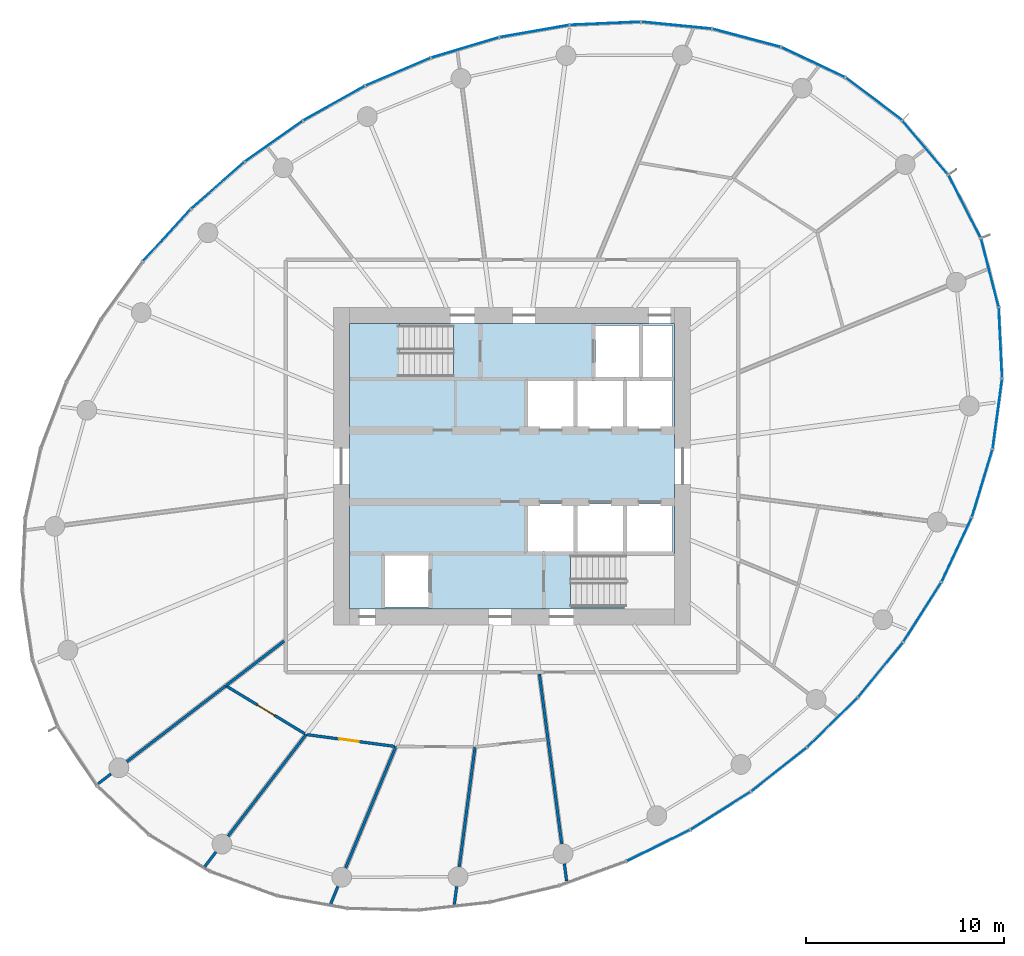
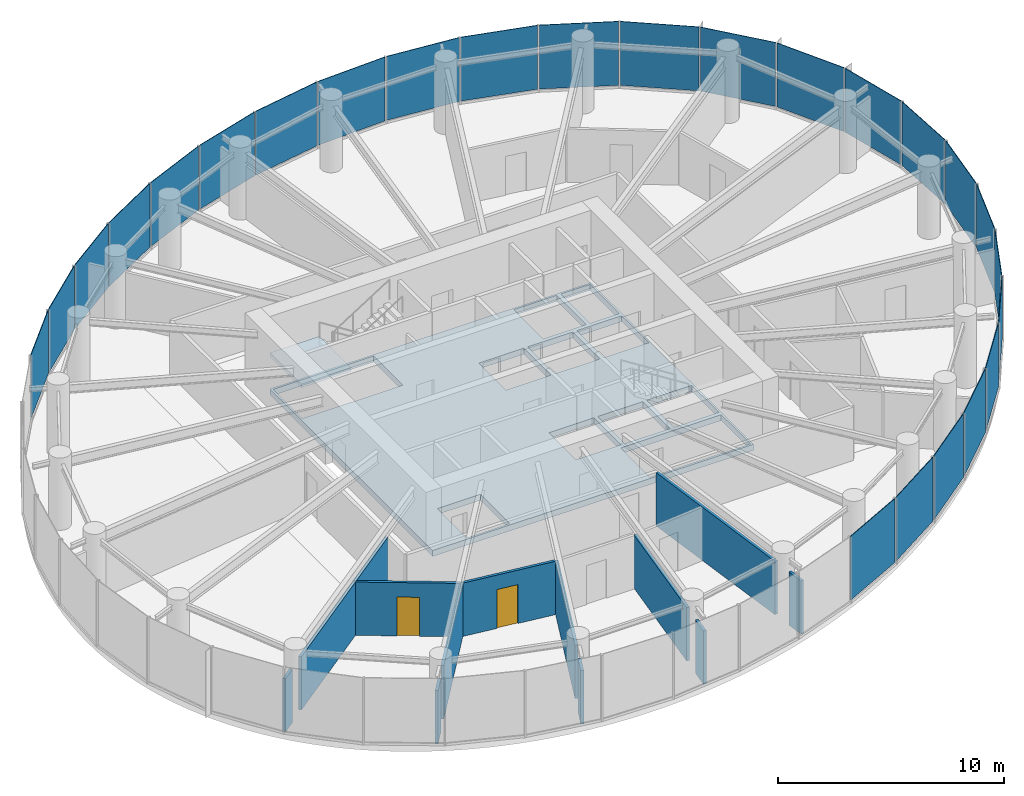
# One storey, part 8 of 14: 25 plates, 13 walls, 2 doors, 2 slabs, 2 openings, 7 elements without a shape of their own.
"""IFC4 building model written with IfcOpenShell, lengths in metres."""

import ifcopenshell
import ifcopenshell.guid

model = None  # the IFC model being written
_history = None  # IfcOwnerHistory: only IFC2X3 demands one
_inside = {}  # id of a spatial element -> (the spatial element, [elements in it])
_under = {}  # id of a project, library or spatial element -> (it, [spatial elements below it])
_declared = {}  # id of a project -> (the project, [libraries it declares])
_typed = {}  # id of a type object -> (the type object, [elements of that type])
_made_of = {}  # id of a material, layer set ... -> (it, [elements and type objects made of it])


def new_model(schema):
    """Start an empty IFC model of exactly this schema.

    Asked for "IFC4X3", IfcOpenShell would pick the latest addendum, in which some entities
    have other attributes; the version numbers below select the first issue.
    IFC2X3 requires an IfcOwnerHistory on every rooted entity: one is made here for all.
    """
    global model, _history
    if schema == "IFC4X3":
        model = ifcopenshell.file(schema_version=(4, 3, 0, 0))
    else:
        model = ifcopenshell.file(schema=schema)
    _inside.clear()
    _under.clear()
    _declared.clear()
    _typed.clear()
    _made_of.clear()
    _history = None
    if model.schema == "IFC2X3":
        org = make("IfcOrganization", Name="unknown")
        user = make(
            "IfcPersonAndOrganization",
            ThePerson=make("IfcPerson", FamilyName="unknown"),
            TheOrganization=org,
        )
        app = make(
            "IfcApplication",
            ApplicationDeveloper=org,
            Version="unknown",
            ApplicationFullName="unknown",
            ApplicationIdentifier="unknown",
        )
        _history = make(
            "IfcOwnerHistory",
            OwningUser=user,
            OwningApplication=app,
            ChangeAction="ADDED",
            CreationDate=0,
        )
    return model


def make(cls, **values):
    """One entity of the class cls with the attributes given. An attribute that is None is left unset."""
    return model.create_entity(
        cls, **{name: value for name, value in values.items() if value is not None}
    )


def rooted(cls, **values):
    """An entity with a GlobalId (a new one), such as an element, a storey or a relation."""
    return make(cls, GlobalId=ifcopenshell.guid.new(), OwnerHistory=_history, **values)


def si_unit(unit_type, name, prefix=None):
    """IfcSIUnit, for example si_unit("LENGTHUNIT", "METRE", prefix="MILLI")."""
    return make("IfcSIUnit", UnitType=unit_type, Prefix=prefix, Name=name)


def assignment(units):
    """IfcUnitAssignment: the units of a project."""
    return None if units is None else make("IfcUnitAssignment", Units=units)


def point(xyz):
    """IfcCartesianPoint."""
    return None if xyz is None else make("IfcCartesianPoint", Coordinates=xyz)


def direction(xyz):
    """IfcDirection."""
    return None if xyz is None else make("IfcDirection", DirectionRatios=xyz)


def frame(location, z_axis=None, x_axis=None):
    """IfcAxis2Placement3D, a coordinate frame: its origin and axes. An axis left out is left unset."""
    return make(
        "IfcAxis2Placement3D",
        Location=point(location),
        Axis=direction(z_axis),
        RefDirection=direction(x_axis),
    )


def frame_2d(location, x_axis=None):
    """IfcAxis2Placement2D, a coordinate frame in the plane: its origin and x axis."""
    return make(
        "IfcAxis2Placement2D", Location=point(location), RefDirection=direction(x_axis)
    )


def origin():
    """The frame at (0, 0, 0) with its axes left unset."""
    return frame((0.0, 0.0, 0.0))


def origin_2d():
    """The frame at (0, 0) in the plane with its x axis left unset."""
    return frame_2d((0.0, 0.0))


def place(relative_to, where):
    """IfcLocalPlacement: puts the frame where relative to a parent placement (None: the world)."""
    return make(
        "IfcLocalPlacement", PlacementRelTo=relative_to, RelativePlacement=where
    )


def context(
    kind, dimensions, precision=None, world=None, true_north=None, identifier=None
):
    """IfcGeometricRepresentationContext, for example the 3D "Model" context."""
    return make(
        "IfcGeometricRepresentationContext",
        ContextIdentifier=identifier,
        ContextType=kind,
        CoordinateSpaceDimension=dimensions,
        Precision=precision,
        WorldCoordinateSystem=world,
        TrueNorth=true_north,
    )


def subcontext(parent, identifier, kind, view, scale=None):
    """IfcGeometricRepresentationSubContext, for example "Body" below "Model"."""
    return make(
        "IfcGeometricRepresentationSubContext",
        ContextIdentifier=identifier,
        ContextType=kind,
        ParentContext=parent,
        TargetScale=scale,
        TargetView=view,
    )


def project(units=None, contexts=None):
    """IfcProject with its units and contexts."""
    return rooted(
        "IfcProject",
        Name="project",
        RepresentationContexts=contexts,
        UnitsInContext=assignment(units),
    )


def spatial(cls, under=None, at=None, **own):
    """A site, building, storey or space (cls), placed at a placement, below another one or the project."""
    s = rooted(cls, ObjectPlacement=at, **own)
    if under is not None:
        _under.setdefault(under.id(), (under, []))[1].append(s)
    return s


def point_list(points):
    """IfcCartesianPointList2D or 3D."""
    cls = (
        "IfcCartesianPointList2D" if len(points[0]) == 2 else "IfcCartesianPointList3D"
    )
    return make(cls, CoordList=points)


def line(*indices):
    """IfcLineIndex: a straight run through numbered points of an indexed curve."""
    return model.create_entity("IfcLineIndex", indices)


def indexed_curve(points, segments=None, self_intersect=None):
    """IfcIndexedPolyCurve: lines and arcs through numbered points (the first is 1)."""
    return make(
        "IfcIndexedPolyCurve",
        Points=point_list(points),
        Segments=segments,
        SelfIntersect=self_intersect,
    )


def profile(cls, at=None, kind="AREA", **sizes):
    """A parametric profile (cls). Its sizes go by their IFC names, for example OverallWidth=200.0."""
    return make(cls, ProfileType=kind, Position=at, **sizes)


def rectangle(**sizes):
    """IfcRectangleProfileDef."""
    return profile("IfcRectangleProfileDef", **sizes)


def outline(outer, holes=None, kind="AREA"):
    """IfcArbitraryClosedProfileDef: a profile drawn as a closed curve; with holes, ...WithVoids."""
    if holes is None:
        return make("IfcArbitraryClosedProfileDef", ProfileType=kind, OuterCurve=outer)
    return make(
        "IfcArbitraryProfileDefWithVoids",
        ProfileType=kind,
        OuterCurve=outer,
        InnerCurves=holes,
    )


def extrude(swept, where, along, depth):
    """IfcExtrudedAreaSolid: the profile swept, set in the frame where, extruded along a direction by depth."""
    return make(
        "IfcExtrudedAreaSolid",
        SweptArea=swept,
        Position=where,
        ExtrudedDirection=direction(along),
        Depth=depth,
    )


def shape(context_of_items, identifier, shape_type, items):
    """IfcShapeRepresentation: the items that make up one representation, for example the "Body"."""
    return make(
        "IfcShapeRepresentation",
        ContextOfItems=context_of_items,
        RepresentationIdentifier=identifier,
        RepresentationType=shape_type,
        Items=items,
    )


def source(mapping_origin, context_of_items, identifier, shape_type, items):
    """IfcRepresentationMap: a shape defined once, which mapped items show again and again."""
    return make(
        "IfcRepresentationMap",
        MappingOrigin=mapping_origin,
        MappedRepresentation=shape(context_of_items, identifier, shape_type, items),
    )


def transform(
    local_origin,
    x_axis=None,
    y_axis=None,
    z_axis=None,
    scale=None,
    scale2=None,
    scale3=None,
    uniform=True,
):
    """IfcCartesianTransformationOperator3D, or its non-uniform kind. x_axis, y_axis, z_axis: its Axis1, 2, 3."""
    if uniform:
        return make(
            "IfcCartesianTransformationOperator3D",
            Axis1=direction(x_axis),
            Axis2=direction(y_axis),
            LocalOrigin=point(local_origin),
            Scale=scale,
            Axis3=direction(z_axis),
        )
    return make(
        "IfcCartesianTransformationOperator3DnonUniform",
        Axis1=direction(x_axis),
        Axis2=direction(y_axis),
        LocalOrigin=point(local_origin),
        Scale=scale,
        Axis3=direction(z_axis),
        Scale2=scale2,
        Scale3=scale3,
    )


def mapped(mapping_source, mapping_target):
    """IfcMappedItem: shows the shape of a source again, moved by a transform."""
    return make(
        "IfcMappedItem", MappingSource=mapping_source, MappingTarget=mapping_target
    )


def material(Name=None, Category=None):
    """IfcMaterial."""
    return make("IfcMaterial", Name=Name, Category=Category)


def layer(
    of_material, thickness, ventilated=None, Name=None, Category=None, Priority=None
):
    """IfcMaterialLayer: one layer of a wall or slab, of a material (None: an air gap)."""
    return make(
        "IfcMaterialLayer",
        Material=of_material,
        LayerThickness=thickness,
        IsVentilated=ventilated,
        Name=Name,
        Category=Category,
        Priority=Priority,
    )


def layer_set(layers, Name=None):
    """IfcMaterialLayerSet."""
    return make("IfcMaterialLayerSet", MaterialLayers=layers, LayerSetName=Name)


def made_of(thing, what):
    """Note that an element or type object is made of a material, layer set ...; save() writes the relation."""
    if what is not None:
        _made_of.setdefault(what.id(), (what, []))[1].append(thing)
    return thing


def type_object(cls, material=None, **own):
    """A type object (cls), such as IfcWallType, which elements share."""
    return made_of(rooted(cls, **own), material)


def element(
    cls,
    number,
    at=None,
    inside=None,
    cuts=None,
    type_object=None,
    material=None,
    context=None,
    identifier="Body",
    shape_type=None,
    held_by="IfcProductDefinitionShape",
    body=None,
    shapes=None,
    **own,
):
    """One element of the class cls, such as IfcWall. Its Tag is "e" and its number.

    at: its placement. inside: the storey or other place that contains it. cuts: it is an
    opening in that element (IfcRelVoidsElement). A single representation is given by context,
    identifier, shape_type and body (its items); several are given by shapes. held_by: the class
    of the entity that holds the representations. save() writes the other relations.
    """
    e = rooted(cls, Tag="e%d" % number, ObjectPlacement=at, **own)
    if body is not None:
        shapes = [shape(context, identifier, shape_type, body)]
    if shapes is not None:
        e.Representation = make(held_by, Representations=shapes)
    if inside is not None:
        _inside.setdefault(inside.id(), (inside, []))[1].append(e)
    if cuts is not None:
        rooted(
            "IfcRelVoidsElement", RelatingBuildingElement=cuts, RelatedOpeningElement=e
        )
    if type_object is not None:
        _typed.setdefault(type_object.id(), (type_object, []))[1].append(e)
    return made_of(e, material)


def fill(opening, filler):
    """IfcRelFillsElement: the door or window that sits in an opening."""
    return rooted(
        "IfcRelFillsElement",
        RelatingOpeningElement=opening,
        RelatedBuildingElement=filler,
    )


def aggregate(whole, parts):
    """IfcRelAggregates: a whole, such as a stair, and the parts it consists of."""
    return rooted("IfcRelAggregates", RelatingObject=whole, RelatedObjects=parts)


def save(model, path):
    """Write the relations noted so far, then the file.

    IfcRelAggregates (storeys below a building ...), IfcRelContainedInSpatialStructure (elements
    in a storey), IfcRelDefinesByType, IfcRelAssociatesMaterial and IfcRelDeclares: one each for
    every whole, place, type object, material and project.
    """
    for whole, parts in _under.values():
        aggregate(whole, parts)
    for where, things in _inside.values():
        rooted(
            "IfcRelContainedInSpatialStructure",
            RelatedElements=things,
            RelatingStructure=where,
        )
    for kind, things in _typed.values():
        rooted("IfcRelDefinesByType", RelatedObjects=things, RelatingType=kind)
    for what, things in _made_of.values():
        rooted("IfcRelAssociatesMaterial", RelatedObjects=things, RelatingMaterial=what)
    for by, libraries in _declared.values():
        rooted("IfcRelDeclares", RelatingContext=by, RelatedDefinitions=libraries)
    model.write(path)


model = new_model("IFC4")

# Units and contexts
model_context = context("Model", 3, precision=1e-05, world=origin(), true_north=direction((0.0, 1.0)))
body_context = subcontext(model_context, "Body", "Model", "MODEL_VIEW")
ifc_project = project(units=[si_unit("LENGTHUNIT", "METRE"), si_unit("AREAUNIT", "SQUARE_METRE"), si_unit("VOLUMEUNIT", "CUBIC_METRE"), si_unit("PLANEANGLEUNIT", "RADIAN"), si_unit("MASSUNIT", "GRAM", prefix="KILO")], contexts=[model_context])

# Site, building, storey
site_placement = place(None, origin())
site = spatial("IfcSite", under=ifc_project, at=site_placement, CompositionType="ELEMENT")
building_placement = place(site_placement, origin())
building = spatial("IfcBuilding", under=site, at=building_placement, Name="Spindrift Exchange Tower", CompositionType="ELEMENT")
storey_placement = place(building_placement, frame((0.0, 0.0, 140.89990234375)))
storey = spatial("IfcBuildingStorey", under=building, at=storey_placement, Name="L33", CompositionType="ELEMENT", Elevation=140.89990234375)

# Slab
ifc_material_1 = material(Name="Concrete 50 MPa", Category="concrete")
ifc_layer_1 = layer(ifc_material_1, 0.320068359375)
ifc_layer_set_1 = layer_set([ifc_layer_1], Name="SL-CORE-FLOOR-320")
slab_type_1 = type_object("IfcSlabType", Name="SL-CORE-FLOOR-320", PredefinedType="FLOOR", material=ifc_layer_set_1)
slab_1_placement = place(storey_placement, frame((0.0, 0.0, -0.31982421875)))
element("IfcSlab", 1, at=slab_1_placement, inside=storey, type_object=slab_type_1, Name="L33 Core floor slab", PredefinedType="FLOOR", context=body_context, shape_type="SweptSolid", body=[
    extrude(outline(indexed_curve([(43.800048828125, 40.800048828125), (43.800048828125, 55.199951171875), (60.199951171875, 55.199951171875), (60.199951171875, 40.800048828125)], segments=[line(1, 2, 3, 4, 1)], self_intersect=False), holes=[indexed_curve([(45.60009765625, 43.5), (45.60009765625, 40.89990234375), (47.800048828125, 40.89990234375), (47.800048828125, 43.5)], segments=[line(1, 2, 3, 4, 1)], self_intersect=False), indexed_curve([(52.800048828125, 46.10009765625), (52.800048828125, 43.699951171875), (55.10009765625, 43.699951171875), (55.10009765625, 46.10009765625)], segments=[line(1, 2, 3, 4, 1)], self_intersect=False), indexed_curve([(55.300048828125, 46.10009765625), (55.300048828125, 43.699951171875), (57.60009765625, 43.699951171875), (57.60009765625, 46.10009765625)], segments=[line(1, 2, 3, 4, 1)], self_intersect=False), indexed_curve([(55.10009765625, 52.300048828125), (52.800048828125, 52.300048828125), (52.800048828125, 49.89990234375), (55.10009765625, 49.89990234375)], segments=[line(1, 2, 3, 4, 1)], self_intersect=False), indexed_curve([(57.60009765625, 52.300048828125), (55.300048828125, 52.300048828125), (55.300048828125, 49.89990234375), (57.60009765625, 49.89990234375)], segments=[line(1, 2, 3, 4, 1)], self_intersect=False), indexed_curve([(43.906005859375, 52.506103515625), (49.0439453125, 52.506103515625), (49.0439453125, 55.093994140625), (43.906005859375, 55.093994140625)], segments=[line(1, 2, 3, 4, 1)], self_intersect=False), indexed_curve([(60.093994140625, 40.906005859375), (60.093994140625, 43.493896484375), (54.9560546875, 43.493896484375), (54.9560546875, 40.906005859375)], segments=[line(1, 2, 3, 4, 1)], self_intersect=False), indexed_curve([(60.10009765625, 46.10009765625), (57.800048828125, 46.10009765625), (57.800048828125, 43.699951171875), (60.10009765625, 43.699951171875)], segments=[line(1, 2, 3, 4, 1)], self_intersect=False), indexed_curve([(57.800048828125, 52.300048828125), (57.800048828125, 49.89990234375), (60.10009765625, 49.89990234375), (60.10009765625, 52.300048828125)], segments=[line(1, 2, 3, 4, 1)], self_intersect=False), indexed_curve([(58.39990234375, 55.10009765625), (56.199951171875, 55.10009765625), (56.199951171875, 52.5), (58.39990234375, 52.5)], segments=[line(1, 2, 3, 4, 1)], self_intersect=False), indexed_curve([(60.10009765625, 55.10009765625), (58.60009765625, 55.10009765625), (58.60009765625, 52.5), (60.10009765625, 52.5)], segments=[line(1, 2, 3, 4, 1)], self_intersect=False)]), origin(), (0.0, 0.0, 1.0), 0.31982421875),
])

# Stair, slab
stair_type = type_object("IfcStairType", Name="ST-1250-R177", PredefinedType="HALF_TURN_STAIR", material=ifc_material_1)
stair_placement = place(storey_placement, origin())
stair = element("IfcStair", 2, at=stair_placement, inside=storey, type_object=stair_type, Name="L33 Exit stair ST1", PredefinedType="HALF_TURN_STAIR")
ifc_layer_2 = layer(ifc_material_1, 0.199951171875)
ifc_layer_set_2 = layer_set([ifc_layer_2], Name="SL-LANDING")
slab_type_2 = type_object("IfcSlabType", Name="SL-LANDING", PredefinedType="LANDING", material=ifc_layer_set_2)
slab_2_placement = place(storey_placement, frame((0.0, 0.0, 1.75)))
slab_2 = element("IfcSlab", 3, at=slab_2_placement, type_object=slab_type_2, Name="ST1 landing 1", PredefinedType="LANDING", context=body_context, shape_type="SweptSolid", body=[
    extrude(outline(indexed_curve([(46.330078125, 52.39990234375), (43.800048828125, 52.39990234375), (43.800048828125, 55.199951171875), (46.330078125, 55.199951171875)], segments=[line(1, 2, 3, 4, 1)], self_intersect=False)), origin(), (0.0, 0.0, 1.0), 0.2001953125),
])
aggregate(stair, [slab_2])

# Curtain wall, plate
ifc_material_2 = material(Name="Fritted laminated glass with bronze frame", Category="glass")
ifc_layer_3 = layer(ifc_material_2, 0.179931640625)
ifc_layer_set_3 = layer_set([ifc_layer_3], Name="ZONE 3 BRONZE FRITTED WALL")
curtain_wall_type = type_object("IfcCurtainWallType", Name="ZONE 3 BRONZE FRITTED WALL", PredefinedType="NOTDEFINED", material=ifc_layer_set_3)
curtain_wall_1_placement = place(storey_placement, origin())
curtain_wall_1 = element("IfcCurtainWall", 4, at=curtain_wall_1_placement, inside=storey, type_object=curtain_wall_type, Name="L33 Zone 3 Bronze Fritted Wall run 2", PredefinedType="NOTDEFINED")
ifc_material_3 = material(Name="Bronze fritted laminated glass, open frit", Category="glass")
ifc_layer_4 = layer(ifc_material_3, 0.031982421875)
ifc_layer_set_4 = layer_set([ifc_layer_4], Name="ZONE 3 BRONZE FRITTED WALL PANEL OPEN FRIT 600")
plate_type_1 = type_object("IfcPlateType", Name="ZONE 3 BRONZE FRITTED WALL PANEL OPEN FRIT 600", PredefinedType="CURTAIN_PANEL", material=ifc_layer_set_4)
shared_shape_1 = source(origin(), body_context, "Body", "SweptSolid", [
    extrude(rectangle(XDim=3.53076171875, YDim=0.031982421875, at=origin_2d()), origin(), (0.0, 0.0, 1.0), 3.449951171875),
])
plate_1_placement = place(storey_placement, frame((37.159912109375, 62.155029296875, 0.1298828125), z_axis=(0.0, 0.0, 1.0), x_axis=(-0.751534771556, -0.659693479687, 0.0)))
plate_1 = element("IfcPlate", 5, at=plate_1_placement, type_object=plate_type_1, Name="L33 panel CW-3.12", PredefinedType="CURTAIN_PANEL", context=body_context, shape_type="MappedRepresentation", body=[
    mapped(shared_shape_1, transform((0.0, 0.0, 0.0), scale=1.0)),
])

curtain_wall_2_placement = place(storey_placement, origin())
curtain_wall_2 = element("IfcCurtainWall", 6, at=curtain_wall_2_placement, inside=storey, type_object=curtain_wall_type, Name="L33 Zone 3 Bronze Fritted Wall run 3", PredefinedType="NOTDEFINED")
plate_2_placement = place(storey_placement, frame((34.590576171875, 59.639892578125, 0.1298828125), z_axis=(0.0, 0.0, 1.0), x_axis=(-0.675578626407, -0.737287948865, 0.0)))
plate_2 = element("IfcPlate", 7, at=plate_2_placement, type_object=plate_type_1, Name="L33 panel CW-3.13", PredefinedType="CURTAIN_PANEL", context=body_context, shape_type="MappedRepresentation", body=[
    mapped(shared_shape_1, transform((0.0, 0.0, 0.0), scale=1.0)),
])
aggregate(curtain_wall_2, [plate_2])

curtain_wall_3_placement = place(storey_placement, origin())
curtain_wall_3 = element("IfcCurtainWall", 8, at=curtain_wall_3_placement, inside=storey, type_object=curtain_wall_type, Name="L33 Zone 3 Bronze Fritted Wall run 6", PredefinedType="NOTDEFINED")
plate_3_placement = place(storey_placement, frame((65.45751953125, 32.694580078125, 0.1298828125), z_axis=(0.0, 0.0, 1.0), x_axis=(0.785434693652, 0.618944538717, 0.0)))
plate_3 = element("IfcPlate", 9, at=plate_3_placement, type_object=plate_type_1, Name="L33 panel CW-3.32", PredefinedType="CURTAIN_PANEL", context=body_context, shape_type="MappedRepresentation", body=[
    mapped(shared_shape_1, transform((0.0, 0.0, 0.0), scale=1.0)),
])

# Plate
shared_shape_2 = source(origin(), body_context, "Body", "SweptSolid", [
    extrude(rectangle(XDim=3.531005859375, YDim=0.031982421875, at=origin_2d()), origin(), (0.0, 0.0, 1.0), 3.449951171875),
])
plate_4_placement = place(storey_placement, frame((43.02587890625, 66.298583984375, 0.1298828125), z_axis=(0.0, 0.0, 1.0), x_axis=(-0.872835212913, -0.488015052124, 0.0)))
plate_4 = element("IfcPlate", 10, at=plate_4_placement, type_object=plate_type_1, Name="L33 panel CW-3.10", PredefinedType="CURTAIN_PANEL", context=body_context, shape_type="MappedRepresentation", body=[
    mapped(shared_shape_2, transform((0.0, 0.0, 0.0), scale=1.0)),
])

plate_5_placement = place(storey_placement, frame((62.520263671875, 30.6201171875, 0.1298828125), z_axis=(0.0, 0.0, 1.0), x_axis=(0.84599500817, 0.533190815892, 0.0)))
plate_5 = element("IfcPlate", 11, at=plate_5_placement, type_object=plate_type_1, Name="L33 panel CW-3.31", PredefinedType="CURTAIN_PANEL", context=body_context, shape_type="MappedRepresentation", body=[
    mapped(shared_shape_2, transform((0.0, 0.0, 0.0), scale=1.0)),
])

ifc_layer_5 = layer(ifc_material_3, 0.031982421875)
ifc_layer_set_5 = layer_set([ifc_layer_5], Name="ZONE 3 BRONZE FRITTED WALL PANEL OPEN FRIT 360")
plate_type_2 = type_object("IfcPlateType", Name="ZONE 3 BRONZE FRITTED WALL PANEL OPEN FRIT 360", PredefinedType="CURTAIN_PANEL", material=ifc_layer_set_5)
shared_shape_3 = source(origin(), body_context, "Body", "SweptSolid", [
    extrude(rectangle(XDim=3.531005859375, YDim=0.031982421875, at=origin_2d()), origin(), (0.0, 0.0, 1.0), 3.449951171875),
])
plate_6_placement = place(storey_placement, frame((68.158935546875, 35.0673828125, 0.1298828125), z_axis=(0.0, 0.0, 1.0), x_axis=(0.714991468759, 0.699133177301, 0.0)))
plate_6 = element("IfcPlate", 12, at=plate_6_placement, type_object=plate_type_2, Name="L33 panel CW-3.33", PredefinedType="CURTAIN_PANEL", context=body_context, shape_type="MappedRepresentation", body=[
    mapped(shared_shape_3, transform((0.0, 0.0, 0.0), scale=1.0)),
])

# Curtain wall, plate
curtain_wall_4_placement = place(storey_placement, origin())
curtain_wall_4 = element("IfcCurtainWall", 13, at=curtain_wall_4_placement, inside=storey, type_object=curtain_wall_type, Name="L33 Zone 3 Bronze Fritted Wall run 5", PredefinedType="NOTDEFINED")
shared_shape_4 = source(origin(), body_context, "Body", "SweptSolid", [
    extrude(rectangle(XDim=3.53076171875, YDim=0.031982421875, at=origin_2d()), origin(), (0.0, 0.0, 1.0), 3.449951171875),
])
plate_7_placement = place(storey_placement, frame((59.38134765625, 28.865966796875, 0.1298828125), z_axis=(0.0, 0.0, 1.0), x_axis=(0.897472483366, 0.441070449703, 0.0)))
plate_7 = element("IfcPlate", 14, at=plate_7_placement, type_object=plate_type_2, Name="L33 panel CW-3.30", PredefinedType="CURTAIN_PANEL", context=body_context, shape_type="MappedRepresentation", body=[
    mapped(shared_shape_4, transform((0.0, 0.0, 0.0), scale=1.0)),
])
aggregate(curtain_wall_4, [plate_7])

# Plate
shared_shape_5 = source(origin(), body_context, "Body", "SweptSolid", [
    extrude(rectangle(XDim=3.530517578125, YDim=0.031982421875, at=origin_2d()), origin(), (0.0, 0.0, 1.0), 3.449951171875),
])
plate_8_placement = place(storey_placement, frame((49.634033203125, 69.107177734375, 0.1298828125), z_axis=(0.0, 0.0, 1.0), x_axis=(-0.957720622369, -0.287699860077, 0.0)))
plate_8 = element("IfcPlate", 15, at=plate_8_placement, type_object=plate_type_1, Name="L33 panel CW-3.8", PredefinedType="CURTAIN_PANEL", context=body_context, shape_type="MappedRepresentation", body=[
    mapped(shared_shape_5, transform((0.0, 0.0, 0.0), scale=1.0)),
])

ifc_layer_6 = layer(ifc_material_3, 0.031982421875)
ifc_layer_set_6 = layer_set([ifc_layer_6], Name="ZONE 3 BRONZE FRITTED WALL PANEL OPEN FRIT 480")
plate_type_3 = type_object("IfcPlateType", Name="ZONE 3 BRONZE FRITTED WALL PANEL OPEN FRIT 480", PredefinedType="CURTAIN_PANEL", material=ifc_layer_set_6)
shared_shape_6 = source(origin(), body_context, "Body", "SweptSolid", [
    extrude(rectangle(XDim=3.530517578125, YDim=0.031982421875, at=origin_2d()), origin(), (0.0, 0.0, 1.0), 3.449951171875),
])
plate_9_placement = place(storey_placement, frame((70.5859375, 37.719970703125, 0.1298828125), z_axis=(0.0, 0.0, 1.0), x_axis=(0.633018840957, 0.77413638785, 0.0)))
plate_9 = element("IfcPlate", 16, at=plate_9_placement, type_object=plate_type_3, Name="L33 panel CW-3.34", PredefinedType="CURTAIN_PANEL", context=body_context, shape_type="MappedRepresentation", body=[
    mapped(shared_shape_6, transform((0.0, 0.0, 0.0), scale=1.0)),
])

shared_shape_7 = source(origin(), body_context, "Body", "SweptSolid", [
    extrude(rectangle(XDim=3.531005859375, YDim=0.031982421875, at=origin_2d()), origin(), (0.0, 0.0, 1.0), 3.449951171875),
])
plate_10_placement = place(storey_placement, frame((39.98388671875, 64.38134765625, 0.1298828125), z_axis=(0.0, 0.0, 1.0), x_axis=(-0.816883237523, -0.5768030654, 0.0)))
plate_10 = element("IfcPlate", 17, at=plate_10_placement, type_object=plate_type_3, Name="L33 panel CW-3.11", PredefinedType="CURTAIN_PANEL", context=body_context, shape_type="MappedRepresentation", body=[
    mapped(shared_shape_7, transform((0.0, 0.0, 0.0), scale=1.0)),
])

shared_shape_8 = source(origin(), body_context, "Body", "SweptSolid", [
    extrude(rectangle(XDim=3.53076171875, YDim=0.031982421875, at=origin_2d()), origin(), (0.0, 0.0, 1.0), 3.449951171875),
])
plate_11_placement = place(storey_placement, frame((46.253662109375, 67.88330078125, 0.1298828125), z_axis=(0.0, 0.0, 1.0), x_axis=(-0.919883114144, -0.392192626541, 0.0)))
plate_11 = element("IfcPlate", 18, at=plate_11_placement, type_object=plate_type_3, Name="L33 panel CW-3.9", PredefinedType="CURTAIN_PANEL", context=body_context, shape_type="MappedRepresentation", body=[
    mapped(shared_shape_8, transform((0.0, 0.0, 0.0), scale=1.0)),
])

# Curtain wall, plates
curtain_wall_5_placement = place(storey_placement, origin())
curtain_wall_5 = element("IfcCurtainWall", 19, at=curtain_wall_5_placement, inside=storey, type_object=curtain_wall_type, Name="L33 Zone 3 Bronze Fritted Wall run 1", PredefinedType="NOTDEFINED")
shared_shape_9 = source(origin(), body_context, "Body", "SweptSolid", [
    extrude(rectangle(XDim=3.52490234375, YDim=0.031982421875, at=origin_2d()), origin(), (0.0, 0.0, 1.0), 3.449951171875),
])
plate_12_placement = place(storey_placement, frame((72.846435546875, 64.0625, 0.1298828125), z_axis=(0.0, 0.0, 1.0), x_axis=(-0.64654349094, 0.762877129244, 0.0)))
plate_12 = element("IfcPlate", 20, at=plate_12_placement, type_object=plate_type_3, Name="L33 panel CW-3.1", PredefinedType="CURTAIN_PANEL", context=body_context, shape_type="MappedRepresentation", body=[
    mapped(shared_shape_9, transform((0.0, 0.0, 0.0), scale=1.0)),
])
shared_shape_10 = source(origin(), body_context, "Body", "SweptSolid", [
    extrude(rectangle(XDim=3.525634765625, YDim=0.031982421875, at=origin_2d()), origin(), (0.0, 0.0, 1.0), 3.449951171875),
])
plate_13_placement = place(storey_placement, frame((70.24853515625, 66.515625, 0.1298828125), z_axis=(0.0, 0.0, 1.0), x_axis=(-0.798636560411, 0.601813629269, 0.0)))
plate_13 = element("IfcPlate", 21, at=plate_13_placement, type_object=plate_type_2, Name="L33 panel CW-3.2", PredefinedType="CURTAIN_PANEL", context=body_context, shape_type="MappedRepresentation", body=[
    mapped(shared_shape_10, transform((0.0, 0.0, 0.0), scale=1.0)),
])

# Curtain wall, plate
curtain_wall_6_placement = place(storey_placement, origin())
curtain_wall_6 = element("IfcCurtainWall", 22, at=curtain_wall_6_placement, inside=storey, type_object=curtain_wall_type, Name="L33 Zone 3 Bronze Fritted Wall run 7", PredefinedType="NOTDEFINED")
plate_14_placement = place(storey_placement, frame((76.098388671875, 57.752197265625, 0.1298828125), z_axis=(0.0, 0.0, 1.0), x_axis=(-0.249491097324, 0.968377092024, 0.0)))
plate_14 = element("IfcPlate", 23, at=plate_14_placement, type_object=plate_type_2, Name="L33 panel CW-3.40", PredefinedType="CURTAIN_PANEL", context=body_context, shape_type="MappedRepresentation", body=[
    mapped(shared_shape_10, transform((0.0, 0.0, 0.0), scale=1.0)),
])

# Plate
shared_shape_11 = source(origin(), body_context, "Body", "SweptSolid", [
    extrude(rectangle(XDim=3.52685546875, YDim=0.031982421875, at=origin_2d()), origin(), (0.0, 0.0, 1.0), 3.449951171875),
])
plate_15_placement = place(storey_placement, frame((67.186767578125, 68.36572265625, 0.1298828125), z_axis=(0.0, 0.0, 1.0), x_axis=(-0.904185454901, 0.427140097796, 0.0)))
plate_15 = element("IfcPlate", 24, at=plate_15_placement, type_object=plate_type_3, Name="L33 panel CW-3.3", PredefinedType="CURTAIN_PANEL", context=body_context, shape_type="MappedRepresentation", body=[
    mapped(shared_shape_11, transform((0.0, 0.0, 0.0), scale=1.0)),
])

plate_16_placement = place(storey_placement, frame((76.6328125, 54.21484375, 0.1298828125), z_axis=(0.0, 0.0, 1.0), x_axis=(-0.047735805728, 0.998859996622, 0.0)))
plate_16 = element("IfcPlate", 25, at=plate_16_placement, type_object=plate_type_3, Name="L33 panel CW-3.39", PredefinedType="CURTAIN_PANEL", context=body_context, shape_type="MappedRepresentation", body=[
    mapped(shared_shape_11, transform((0.0, 0.0, 0.0), scale=1.0)),
])

shared_shape_12 = source(origin(), body_context, "Body", "SweptSolid", [
    extrude(rectangle(XDim=3.528076171875, YDim=0.031982421875, at=origin_2d()), origin(), (0.0, 0.0, 1.0), 3.449951171875),
])
plate_17_placement = place(storey_placement, frame((63.8212890625, 69.5947265625, 0.1298828125), z_axis=(0.0, 0.0, 1.0), x_axis=(-0.966641689052, 0.256132475462, 0.0)))
plate_17 = element("IfcPlate", 26, at=plate_17_placement, type_object=plate_type_2, Name="L33 panel CW-3.4", PredefinedType="CURTAIN_PANEL", context=body_context, shape_type="MappedRepresentation", body=[
    mapped(shared_shape_12, transform((0.0, 0.0, 0.0), scale=1.0)),
])

shared_shape_13 = source(origin(), body_context, "Body", "SweptSolid", [
    extrude(rectangle(XDim=3.529052734375, YDim=0.031982421875, at=origin_2d()), origin(), (0.0, 0.0, 1.0), 3.449951171875),
])
plate_18_placement = place(storey_placement, frame((60.29150390625, 70.23193359375, 0.1298828125), z_axis=(0.0, 0.0, 1.0), x_axis=(-0.995192250914, 0.09794071534, 0.0)))
plate_18 = element("IfcPlate", 27, at=plate_18_placement, type_object=plate_type_2, Name="L33 panel CW-3.5", PredefinedType="CURTAIN_PANEL", context=body_context, shape_type="MappedRepresentation", body=[
    mapped(shared_shape_13, transform((0.0, 0.0, 0.0), scale=1.0)),
])

shared_shape_14 = source(origin(), body_context, "Body", "SweptSolid", [
    extrude(rectangle(XDim=3.52978515625, YDim=0.031982421875, at=origin_2d()), origin(), (0.0, 0.0, 1.0), 3.449951171875),
])
plate_19_placement = place(storey_placement, frame((56.702392578125, 70.327392578125, 0.1298828125), z_axis=(0.0, 0.0, 1.0), x_axis=(-0.998996843954, -0.04478064058, 0.0)))
plate_19 = element("IfcPlate", 28, at=plate_19_placement, type_object=plate_type_2, Name="L33 panel CW-3.6", PredefinedType="CURTAIN_PANEL", context=body_context, shape_type="MappedRepresentation", body=[
    mapped(shared_shape_14, transform((0.0, 0.0, 0.0), scale=1.0)),
])

aggregate(curtain_wall_5, [plate_12, plate_13, plate_15, plate_17, plate_18, plate_19])

plate_20_placement = place(storey_placement, frame((74.423583984375, 43.780029296875, 0.1298828125), z_axis=(0.0, 0.0, 1.0), x_axis=(0.424491796035, 0.905431783791, 0.0)))
plate_20 = element("IfcPlate", 29, at=plate_20_placement, type_object=plate_type_2, Name="L33 panel CW-3.36", PredefinedType="CURTAIN_PANEL", context=body_context, shape_type="MappedRepresentation", body=[
    mapped(shared_shape_14, transform((0.0, 0.0, 0.0), scale=1.0)),
])

shared_shape_15 = source(origin(), body_context, "Body", "SweptSolid", [
    extrude(rectangle(XDim=3.5302734375, YDim=0.031982421875, at=origin_2d()), origin(), (0.0, 0.0, 1.0), 3.449951171875),
])
plate_21_placement = place(storey_placement, frame((53.13134765625, 69.93603515625, 0.1298828125), z_axis=(0.0, 0.0, 1.0), x_axis=(-0.984977907784, -0.172680401833, 0.0)))
plate_21 = element("IfcPlate", 30, at=plate_21_placement, type_object=plate_type_2, Name="L33 panel CW-3.7", PredefinedType="CURTAIN_PANEL", context=body_context, shape_type="MappedRepresentation", body=[
    mapped(shared_shape_15, transform((0.0, 0.0, 0.0), scale=1.0)),
])

aggregate(curtain_wall_1, [plate_21, plate_8, plate_11, plate_4, plate_10, plate_1])

shared_shape_16 = source(origin(), body_context, "Body", "SweptSolid", [
    extrude(rectangle(XDim=3.524658203125, YDim=0.031982421875, at=origin_2d()), origin(), (0.0, 0.0, 1.0), 3.449951171875),
])
plate_22_placement = place(storey_placement, frame((74.829345703125, 61.09228515625, 0.1298828125), z_axis=(0.0, 0.0, 1.0), x_axis=(-0.456591795338, 0.88967630767, 0.0)))
plate_22 = element("IfcPlate", 31, at=plate_22_placement, type_object=plate_type_2, Name="L33 panel CW-3.41", PredefinedType="CURTAIN_PANEL", context=body_context, shape_type="MappedRepresentation", body=[
    mapped(shared_shape_16, transform((0.0, 0.0, 0.0), scale=1.0)),
])

shared_shape_17 = source(origin(), body_context, "Body", "SweptSolid", [
    extrude(rectangle(XDim=3.5302734375, YDim=0.031982421875, at=origin_2d()), origin(), (0.0, 0.0, 1.0), 3.449951171875),
])
plate_23_placement = place(storey_placement, frame((72.6923828125, 40.632080078125, 0.1298828125), z_axis=(0.0, 0.0, 1.0), x_axis=(0.537202453062, 0.843453332689, 0.0)))
plate_23 = element("IfcPlate", 32, at=plate_23_placement, type_object=plate_type_3, Name="L33 panel CW-3.35", PredefinedType="CURTAIN_PANEL", context=body_context, shape_type="MappedRepresentation", body=[
    mapped(shared_shape_17, transform((0.0, 0.0, 0.0), scale=1.0)),
])

aggregate(curtain_wall_3, [plate_5, plate_3, plate_6, plate_9, plate_23, plate_20])

shared_shape_18 = source(origin(), body_context, "Body", "SweptSolid", [
    extrude(rectangle(XDim=3.529052734375, YDim=0.031982421875, at=origin_2d()), origin(), (0.0, 0.0, 1.0), 3.449951171875),
])
plate_24_placement = place(storey_placement, frame((75.7119140625, 47.13134765625, 0.1298828125), z_axis=(0.0, 0.0, 1.0), x_axis=(0.291238203418, 0.956650567799, 0.0)))
plate_24 = element("IfcPlate", 33, at=plate_24_placement, type_object=plate_type_3, Name="L33 panel CW-3.37", PredefinedType="CURTAIN_PANEL", context=body_context, shape_type="MappedRepresentation", body=[
    mapped(shared_shape_18, transform((0.0, 0.0, 0.0), scale=1.0)),
])

shared_shape_19 = source(origin(), body_context, "Body", "SweptSolid", [
    extrude(rectangle(XDim=3.528076171875, YDim=0.031982421875, at=origin_2d()), origin(), (0.0, 0.0, 1.0), 3.449951171875),
])
plate_25_placement = place(storey_placement, frame((76.477294921875, 50.635498046875, 0.1298828125), z_axis=(0.0, 0.0, 1.0), x_axis=(0.134179897157, 0.990956989581, 0.0)))
plate_25 = element("IfcPlate", 34, at=plate_25_placement, type_object=plate_type_3, Name="L33 panel CW-3.38", PredefinedType="CURTAIN_PANEL", context=body_context, shape_type="MappedRepresentation", body=[
    mapped(shared_shape_19, transform((0.0, 0.0, 0.0), scale=1.0)),
])

aggregate(curtain_wall_6, [plate_24, plate_25, plate_16, plate_14, plate_22])

# Walls
ifc_material_4 = material(Name="Fire-rated plasterboard partition", Category="gypsum")
ifc_layer_7 = layer(ifc_material_4, 0.139892578125)
ifc_layer_set_7 = layer_set([ifc_layer_7], Name="W-PART-140")
wall_type = type_object("IfcWallType", Name="W-PART-140", PredefinedType="PARTITIONING", material=ifc_layer_set_7)
wall_1_placement = place(storey_placement, frame((54.508056640625, 28.94873046875, 0.0), z_axis=(0.0, 0.0, 1.0), x_axis=(-0.130507901859, 0.991447269174, 0.0)))
element("IfcWall", 35, at=wall_1_placement, inside=storey, type_object=wall_type, Name="L33 Partition wall 35", PredefinedType="PARTITIONING", context=body_context, shape_type="SweptSolid", body=[
    extrude(rectangle(XDim=8.63525390625, YDim=0.139892578125, at=frame_2d((4.317626953125, 0.0))), origin(), (0.0, 0.0, 1.0), 2.880126953125),
])
wall_2_placement = place(storey_placement, frame((46.142822265625, 33.859619140625, 0.0), z_axis=(0.0, 0.0, 1.0), x_axis=(-0.382679251199, -0.923881264396, 0.0)))
element("IfcWall", 36, at=wall_2_placement, inside=storey, type_object=wall_type, Name="L33 Partition wall 36", PredefinedType="PARTITIONING", context=body_context, shape_type="SweptSolid", body=[
    extrude(rectangle(XDim=6.628662109375, YDim=0.139892578125, at=frame_2d((3.314453125, 0.0))), origin(), (0.0, 0.0, 1.0), 2.880126953125),
])
wall_3_placement = place(storey_placement, frame((41.615478515625, 34.466552734375, 0.0), z_axis=(0.0, 0.0, 1.0), x_axis=(-0.608784495995, -0.793335639837, 0.0)))
element("IfcWall", 37, at=wall_3_placement, inside=storey, type_object=wall_type, Name="L33 Partition wall 37", PredefinedType="PARTITIONING", context=body_context, shape_type="SweptSolid", body=[
    extrude(rectangle(XDim=6.4609375, YDim=0.139892578125, at=frame_2d((3.23046875, 0.0))), origin(), (0.0, 0.0, 1.0), 2.880126953125),
])
wall_4_placement = place(storey_placement, frame((37.568359375, 36.92626953125, 0.0), z_axis=(0.0, 0.0, 1.0), x_axis=(-0.793361598143, -0.608750667015, 0.0)))
element("IfcWall", 38, at=wall_4_placement, inside=storey, type_object=wall_type, Name="L33 Partition wall 38", PredefinedType="PARTITIONING", context=body_context, shape_type="SweptSolid", body=[
    extrude(rectangle(XDim=6.294921875, YDim=0.139892578125, at=frame_2d((3.1474609375, 0.0))), origin(), (0.0, 0.0, 1.0), 2.880126953125),
])
wall_5_placement = place(storey_placement, frame((50.136474609375, 33.84423828125, 0.0), z_axis=(0.0, 0.0, 1.0), x_axis=(-0.13056215718, -0.991440125833, 0.0)))
element("IfcWall", 39, at=wall_5_placement, inside=storey, type_object=wall_type, Name="L33 Partition wall 39", PredefinedType="PARTITIONING", context=body_context, shape_type="SweptSolid", body=[
    extrude(rectangle(XDim=6.1015625, YDim=0.139892578125, at=frame_2d((3.05078125, 0.0))), origin(), (0.0, 0.0, 1.0), 2.880126953125),
])

# Wall, opening, door
wall_6_placement = place(storey_placement, frame((41.555419921875, 34.503173828125, 0.0), z_axis=(0.0, 0.0, 1.0), x_axis=(-0.854565482162, 0.519343659534, 0.0)))
wall_6 = element("IfcWall", 40, at=wall_6_placement, inside=storey, type_object=wall_type, Name="L33 Partition wall 47", PredefinedType="PARTITIONING", context=body_context, shape_type="SweptSolid", body=[
    extrude(rectangle(XDim=4.635498046875, YDim=0.139892578125, at=frame_2d((2.31787109375, 0.0))), origin(), (0.0, 0.0, 1.0), 2.880126953125),
])
opening_1_placement = place(wall_6_placement, frame((1.785400390625, 0.0, 0.0)))
opening_1 = element("IfcOpeningElement", 41, at=opening_1_placement, cuts=wall_6, Name="Opening L33-D32", PredefinedType="OPENING", context=body_context, shape_type="SweptSolid", body=[
    extrude(rectangle(XDim=1.0, YDim=2.10009765625, at=frame_2d((0.5, 1.050048828125))), frame((0.0, 0.079833984375, 0.0), z_axis=(0.0, -1.0, 0.0), x_axis=(1.0, 0.0, 0.0)), (0.0, 0.0, 1.0), 0.159912109375),
])
ifc_material_5 = material(Name="Timber-core fire door", Category="wood")
door_type = type_object("IfcDoorType", Name="DR-ROOM-1000", OperationType="NOTDEFINED", PredefinedType="DOOR", material=ifc_material_5)
shared_shape_20 = source(origin(), body_context, "Body", "SweptSolid", [
    extrude(rectangle(XDim=1.0, YDim=2.10009765625, at=frame_2d((0.5, 1.050048828125))), frame((0.0, 0.02490234375, 0.0), z_axis=(0.0, -1.0, 0.0), x_axis=(1.0, 0.0, 0.0)), (0.0, 0.0, 1.0), 0.050048828125),
])
door_1_placement = place(opening_1_placement, origin())
door_1 = element("IfcDoor", 42, at=door_1_placement, inside=storey, type_object=door_type, Name="L33 Door 32", OperationType="SINGLE_SWING_LEFT", OverallHeight=2.10009765625, OverallWidth=1.0, PredefinedType="DOOR", context=body_context, shape_type="MappedRepresentation", body=[
    mapped(shared_shape_20, transform((0.0, 0.0, 0.0), scale=1.0)),
])
fill(opening_1, door_1)

wall_7_placement = place(storey_placement, frame((46.071044921875, 33.869140625, 0.0), z_axis=(0.0, 0.0, 1.0), x_axis=(-0.991127820381, 0.132912165233, 0.0)))
wall_7 = element("IfcWall", 43, at=wall_7_placement, inside=storey, type_object=wall_type, Name="L33 Partition wall 48", PredefinedType="PARTITIONING", context=body_context, shape_type="SweptSolid", body=[
    extrude(rectangle(XDim=4.46533203125, YDim=0.139892578125, at=frame_2d((2.232666015625, 0.0))), origin(), (0.0, 0.0, 1.0), 2.880126953125),
])
opening_2_placement = place(wall_7_placement, frame((1.8154296875, 0.0, 0.0)))
opening_2 = element("IfcOpeningElement", 44, at=opening_2_placement, cuts=wall_7, Name="Opening L33-D33", PredefinedType="OPENING", context=body_context, shape_type="SweptSolid", body=[
    extrude(rectangle(XDim=1.0, YDim=2.10009765625, at=frame_2d((0.5, 1.050048828125))), frame((0.0, 0.079833984375, 0.0), z_axis=(0.0, -1.0, 0.0), x_axis=(1.0, 0.0, 0.0)), (0.0, 0.0, 1.0), 0.159912109375),
])
door_2_placement = place(opening_2_placement, origin())
door_2 = element("IfcDoor", 45, at=door_2_placement, inside=storey, type_object=door_type, Name="L33 Door 33", OperationType="SINGLE_SWING_RIGHT", OverallHeight=2.10009765625, OverallWidth=1.0, PredefinedType="DOOR", context=body_context, shape_type="MappedRepresentation", body=[
    mapped(shared_shape_20, transform((0.0, 0.0, 0.0), scale=1.0)),
])
fill(opening_2, door_2)

# Walls
wall_8_placement = place(storey_placement, frame((40.510009765625, 39.183349609375, 0.0), z_axis=(0.0, 0.0, 1.0), x_axis=(-0.793363754773, -0.608747856352, 0.0)))
element("IfcWall", 46, at=wall_8_placement, inside=storey, type_object=wall_type, Name="L33 Partition wall 53", PredefinedType="PARTITIONING", context=body_context, shape_type="SweptSolid", body=[
    extrude(rectangle(XDim=3.677734375, YDim=0.139892578125, at=frame_2d((1.8388671875, 0.0))), origin(), (0.0, 0.0, 1.0), 2.880126953125),
])
wall_9_placement = place(storey_placement, frame((43.2197265625, 26.802490234375, 0.0), z_axis=(0.0, 0.0, 1.0), x_axis=(-0.382619989809, -0.923905808726, 0.0)))
element("IfcWall", 47, at=wall_9_placement, inside=storey, type_object=wall_type, Name="L33 Partition wall 60", PredefinedType="PARTITIONING", context=body_context, shape_type="SweptSolid", body=[
    extrude(rectangle(XDim=0.96484375, YDim=0.139892578125, at=frame_2d((0.482421875, 0.0))), origin(), (0.0, 0.0, 1.0), 2.880126953125),
])
wall_10_placement = place(storey_placement, frame((49.208251953125, 26.794677734375, 0.0), z_axis=(0.0, 0.0, 1.0), x_axis=(-0.130461235204, -0.991453410962, 0.0)))
element("IfcWall", 48, at=wall_10_placement, inside=storey, type_object=wall_type, Name="L33 Partition wall 63", PredefinedType="PARTITIONING", context=body_context, shape_type="SweptSolid", body=[
    extrude(rectangle(XDim=0.939453125, YDim=0.139892578125, at=frame_2d((0.4697265625, 0.0))), origin(), (0.0, 0.0, 1.0), 2.880126953125),
])
wall_11_placement = place(storey_placement, frame((37.068115234375, 28.540283203125, 0.0), z_axis=(0.0, 0.0, 1.0), x_axis=(-0.608853638779, -0.793282576731, 0.0)))
element("IfcWall", 49, at=wall_11_placement, inside=storey, type_object=wall_type, Name="L33 Partition wall 65", PredefinedType="PARTITIONING", context=body_context, shape_type="SweptSolid", body=[
    extrude(rectangle(XDim=0.922607421875, YDim=0.139892578125, at=frame_2d((0.46142578125, 0.0))), origin(), (0.0, 0.0, 1.0), 2.880126953125),
])
wall_12_placement = place(storey_placement, frame((54.639892578125, 27.948486328125, 0.0), z_axis=(0.0, 0.0, 1.0), x_axis=(0.130404378549, -0.991460890835, 0.0)))
element("IfcWall", 50, at=wall_12_placement, inside=storey, type_object=wall_type, Name="L33 Partition wall 67", PredefinedType="PARTITIONING", context=body_context, shape_type="SweptSolid", body=[
    extrude(rectangle(XDim=0.8818359375, YDim=0.139892578125, at=frame_2d((0.44091796875, 0.0))), origin(), (0.0, 0.0, 1.0), 2.880126953125),
])
wall_13_placement = place(storey_placement, frame((31.77392578125, 32.47998046875, 0.0), z_axis=(0.0, 0.0, 1.0), x_axis=(-0.793312684763, -0.608814408661, 0.0)))
element("IfcWall", 51, at=wall_13_placement, inside=storey, type_object=wall_type, Name="L33 Partition wall 70", PredefinedType="PARTITIONING", context=body_context, shape_type="SweptSolid", body=[
    extrude(rectangle(XDim=0.81640625, YDim=0.139892578125, at=frame_2d((0.408203125, 0.0))), origin(), (0.0, 0.0, 1.0), 2.880126953125),
])

save(model, "model.ifc")
